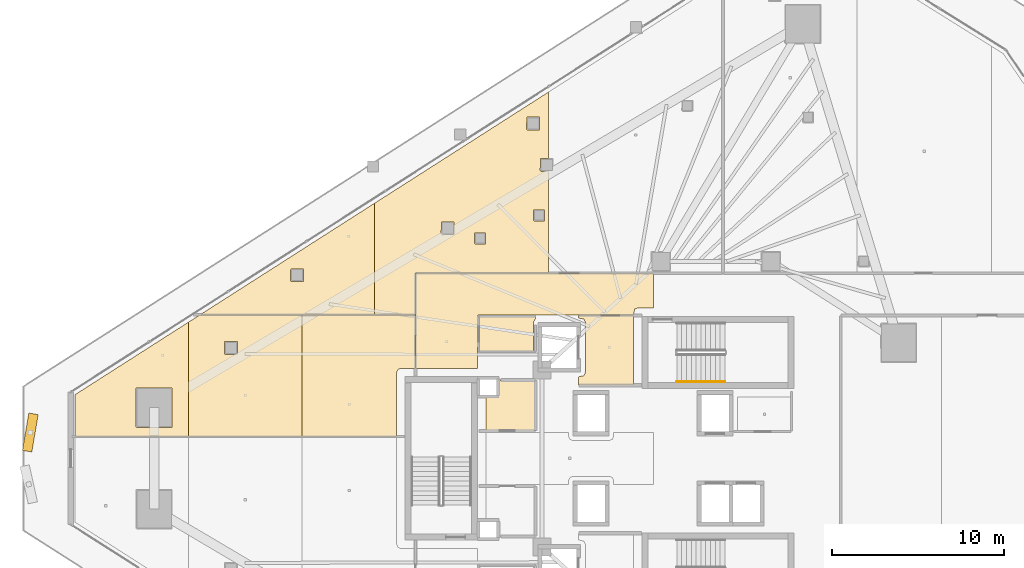
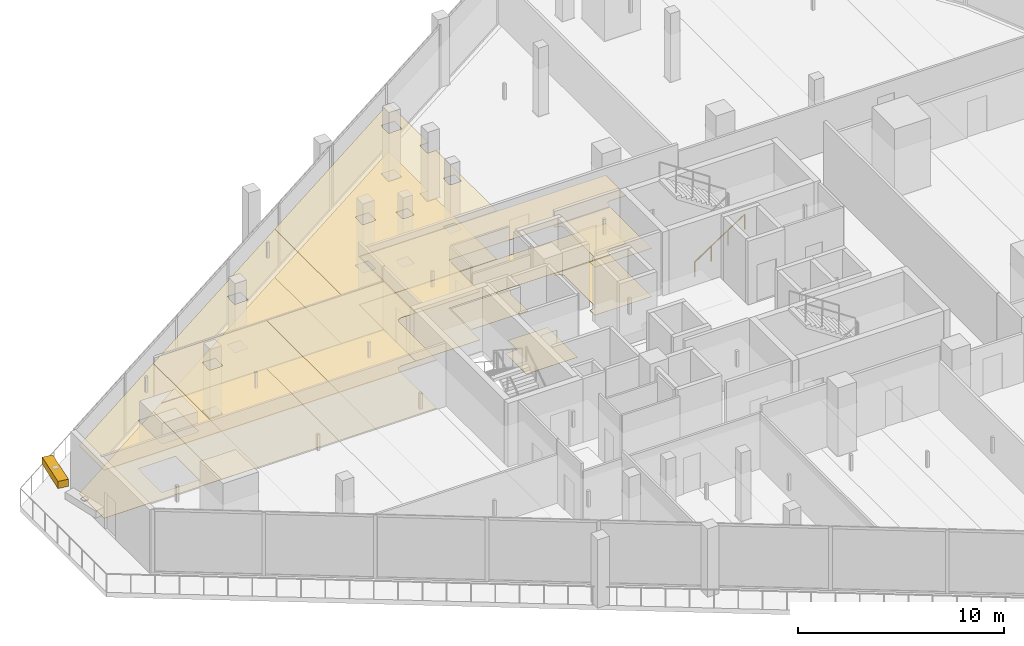
# One storey, part 40 of 42: 16 coverings, 1 railing, 1 shading device.
"""IFC4 building model written with IfcOpenShell, lengths in metres."""

from ifc_helpers import new_model, si_unit, direction, frame, origin, origin_2d, place, context, subcontext, project, spatial, polyline, rectangle, circle, outline, extrude, material, layer, layer_set, type_object, element, save


model = new_model("IFC4")

# Units and contexts
model_context = context("Model", 3, precision=1e-05, world=origin(), true_north=direction((0.0, 1.0)))
body_context = subcontext(model_context, "Body", "Model", "MODEL_VIEW")
ifc_project = project(units=[si_unit("LENGTHUNIT", "METRE"), si_unit("AREAUNIT", "SQUARE_METRE"), si_unit("VOLUMEUNIT", "CUBIC_METRE"), si_unit("PLANEANGLEUNIT", "RADIAN"), si_unit("MASSUNIT", "GRAM", prefix="KILO")], contexts=[model_context])

# Site, building, storey
site_placement = place(None, origin())
site = spatial("IfcSite", under=ifc_project, at=site_placement, CompositionType="ELEMENT")
building_placement = place(site_placement, origin())
building = spatial("IfcBuilding", under=site, at=building_placement, Name="Qorvath Tower", CompositionType="ELEMENT")
storey_placement = place(building_placement, frame((0.0, 0.0, 117.89990234375)))
storey = spatial("IfcBuildingStorey", under=building, at=storey_placement, Name="L26", CompositionType="ELEMENT", Elevation=117.89990234375)

# Coverings
ifc_material_1 = material(Name="Acoustic mineral fibre ceiling tile", Category="gypsum")
ifc_layer_1 = layer(ifc_material_1, 0.030029296875)
ifc_layer_set_1 = layer_set([ifc_layer_1], Name="COV-CEIL")
covering_type_1 = type_object("IfcCoveringType", Name="COV-CEIL", PredefinedType="CEILING", material=ifc_layer_set_1)
covering_1_placement = place(storey_placement, frame((0.0, 0.0, 2.85009765625)))
element("IfcCovering", 1, at=covering_1_placement, inside=storey, type_object=covering_type_1, Name="L26 Suspended Acoustic Ceiling 001", PredefinedType="CEILING", context=body_context, shape_type="SweptSolid", body=[
    extrude(outline(polyline([(-25.18994140625, 4.2548828125), (-25.18994140625, 8.294921875), (-28.375, 8.294921875), (-28.375, 8.159912109375), (-28.063232421875, 8.086669921875), (-27.989990234375, 7.909912109375), (-27.989990234375, 4.989990234375), (-28.063232421875, 4.813232421875), (-28.375, 4.739990234375), (-28.375, 4.2548828125), (-25.18994140625, 4.2548828125)])), origin(), (0.0, 0.0, 1.0), 0.030029296875),
])
covering_2_placement = place(storey_placement, frame((0.0, 0.0, 2.85009765625)))
element("IfcCovering", 2, at=covering_2_placement, inside=storey, type_object=covering_type_1, Name="L26 Suspended Acoustic Ceiling 009", PredefinedType="CEILING", context=body_context, shape_type="SweptSolid", body=[
    extrude(outline(polyline([(-24.02001953125, 8.75), (-24.02001953125, 10.7451171875), (-37.844970703125, 10.7451171875), (-37.844970703125, 5.239990234375), (-34.2509765625, 5.239990234375), (-34.219970703125, 8.324951171875), (-25.18994140625, 8.324951171875), (-25.11669921875, 8.6767578125), (-24.93994140625, 8.75), (-24.02001953125, 8.75)])), origin(), (0.0, 0.0, 1.0), 0.030029296875),
])
covering_3_placement = place(storey_placement, frame((0.0, 0.0, 2.85009765625)))
element("IfcCovering", 3, at=covering_3_placement, inside=storey, type_object=covering_type_1, Name="L26 Suspended Acoustic Ceiling 011", PredefinedType="CEILING", context=body_context, shape_type="SweptSolid", body=[
    extrude(outline(polyline([(-40.242431640625, 8.35498046875), (-40.242431640625, 14.824462890625), (-50.364990234375, 8.35498046875), (-40.242431640625, 8.35498046875)]), holes=[polyline([(-45.121337890625, 10.327392578125), (-45.103759765625, 11.019775390625), (-44.368896484375, 11.019775390625), (-44.368896484375, 10.284912109375), (-45.061279296875, 10.267333984375), (-45.121337890625, 10.327392578125)])]), origin(), (0.0, 0.0, 1.0), 0.030029296875),
])
covering_4_placement = place(storey_placement, frame((0.0, 0.0, 2.85009765625)))
element("IfcCovering", 4, at=covering_4_placement, inside=storey, type_object=covering_type_1, Name="L26 Suspended Acoustic Ceiling 012", PredefinedType="CEILING", context=body_context, shape_type="SweptSolid", body=[
    extrude(outline(polyline([(-30.1201171875, 10.762939453125), (-30.1201171875, 16.685546875), (-30.5498046875, 16.674560546875), (-30.60986328125, 16.734619140625), (-30.59228515625, 17.427001953125), (-30.1201171875, 17.427001953125), (-30.1201171875, 21.294189453125), (-40.242431640625, 14.824462890625), (-40.242431640625, 8.35498046875), (-37.863037109375, 8.35498046875), (-37.85791015625, 10.762939453125), (-30.1201171875, 10.762939453125)]), holes=[polyline([(-31.01220703125, 13.849365234375), (-30.99462890625, 14.441650390625), (-30.35986328125, 14.441650390625), (-30.35986328125, 13.806884765625), (-30.9521484375, 13.789306640625), (-31.01220703125, 13.849365234375)]), polyline([(-31.401123046875, 19.135498046875), (-31.383544921875, 19.827880859375), (-30.648681640625, 19.827880859375), (-30.648681640625, 19.093017578125), (-31.341064453125, 19.075439453125), (-31.401123046875, 19.135498046875)]), polyline([(-34.439208984375, 12.517578125), (-34.421630859375, 13.10986328125), (-33.786865234375, 13.10986328125), (-33.786865234375, 12.47509765625), (-34.379150390625, 12.45751953125), (-34.439208984375, 12.517578125)]), polyline([(-36.36572265625, 13.055908203125), (-36.34814453125, 13.748291015625), (-35.61328125, 13.748291015625), (-35.61328125, 13.013427734375), (-36.3056640625, 12.995849609375), (-36.36572265625, 13.055908203125)])]), origin(), (0.0, 0.0, 1.0), 0.030029296875),
])
covering_5_placement = place(storey_placement, frame((0.0, 0.0, 2.85009765625)))
element("IfcCovering", 5, at=covering_5_placement, inside=storey, type_object=covering_type_1, Name="L26 Suspended Acoustic Ceiling 033", PredefinedType="CEILING", context=body_context, shape_type="SweptSolid", body=[
    extrude(outline(polyline([(-51.043701171875, 1.28515625), (-51.043701171875, 7.921142578125), (-57.634033203125, 3.708984375), (-57.634033203125, 1.285400390625), (-51.043701171875, 1.28515625)]), holes=[polyline([(-54.109375, 1.850830078125), (-54.091796875, 4.09326171875), (-52.007080078125, 4.09326171875), (-52.007080078125, 1.808349609375), (-54.04931640625, 1.790771484375), (-54.109375, 1.850830078125)])]), origin(), (0.0, 0.0, 1.0), 0.030029296875),
])
covering_6_placement = place(storey_placement, frame((0.0, 0.0, 2.85009765625)))
element("IfcCovering", 6, at=covering_6_placement, inside=storey, type_object=covering_type_1, Name="L26 Suspended Acoustic Ceiling 034", PredefinedType="CEILING", context=body_context, shape_type="SweptSolid", body=[
    extrude(outline(polyline([(-44.453369140625, 1.284912109375), (-44.453369140625, 8.3369140625), (-50.39306640625, 8.3369140625), (-51.043701171875, 7.921142578125), (-51.043701171875, 1.28515625), (-44.453369140625, 1.284912109375)]), holes=[polyline([(-48.96337890625, 6.099609375), (-48.94580078125, 6.7919921875), (-48.2109375, 6.7919921875), (-48.2109375, 6.05712890625), (-48.9033203125, 6.03955078125), (-48.96337890625, 6.099609375)])]), origin(), (0.0, 0.0, 1.0), 0.030029296875),
])
covering_7_placement = place(storey_placement, frame((0.0, 0.0, 2.85009765625)))
element("IfcCovering", 7, at=covering_7_placement, inside=storey, type_object=covering_type_1, Name="L26 Suspended Acoustic Ceiling 035", PredefinedType="CEILING", context=body_context, shape_type="SweptSolid", body=[
    extrude(outline(polyline([(-37.863037109375, 5.239990234375), (-37.863037109375, 8.3369140625), (-44.453369140625, 8.3369140625), (-44.453369140625, 1.284912109375), (-38.949951171875, 1.28466796875), (-38.949951171875, 4.989990234375), (-38.876708984375, 5.166748046875), (-38.699951171875, 5.239990234375), (-37.863037109375, 5.239990234375)])), origin(), (0.0, 0.0, 1.0), 0.030029296875),
])
ifc_material_2 = material(Name="Low-VOC modular carpet tile", Category="textile")
ifc_layer_2 = layer(ifc_material_2, 0.014892578125)
ifc_layer_set_2 = layer_set([ifc_layer_2], Name="COV-FLOOR-CPT")
covering_type_2 = type_object("IfcCoveringType", Name="COV-FLOOR-CPT", PredefinedType="FLOORING", material=ifc_layer_set_2)
covering_8_placement = place(storey_placement, origin())
element("IfcCovering", 8, at=covering_8_placement, inside=storey, type_object=covering_type_2, Name="L26 Floor Finish 005", PredefinedType="FLOORING", context=body_context, shape_type="SweptSolid", body=[
    extrude(outline(polyline([(-33.760009765625, 3.636962890625), (-33.760009765625, 1.60498046875), (-30.885009765625, 1.60498046875), (-30.885009765625, 4.534912109375), (-33.0869140625, 4.534912109375), (-33.092041015625, 3.636962890625), (-33.760009765625, 3.636962890625)])), origin(), (0.0, 0.0, 1.0), 0.01513671875),
])
covering_9_placement = place(storey_placement, origin())
element("IfcCovering", 9, at=covering_9_placement, inside=storey, type_object=covering_type_2, Name="L26 Floor Finish 011", PredefinedType="FLOORING", context=body_context, shape_type="SweptSolid", body=[
    extrude(outline(polyline([(-40.242431640625, 8.35498046875), (-40.242431640625, 14.824462890625), (-50.364990234375, 8.35498046875), (-40.242431640625, 8.35498046875)]), holes=[polyline([(-45.121337890625, 10.327392578125), (-45.103759765625, 11.019775390625), (-44.368896484375, 11.019775390625), (-44.368896484375, 10.284912109375), (-45.061279296875, 10.267333984375), (-45.121337890625, 10.327392578125)])]), origin(), (0.0, 0.0, 1.0), 0.01513671875),
])
covering_10_placement = place(storey_placement, origin())
element("IfcCovering", 10, at=covering_10_placement, inside=storey, type_object=covering_type_2, Name="L26 Floor Finish 012", PredefinedType="FLOORING", context=body_context, shape_type="SweptSolid", body=[
    extrude(outline(polyline([(-30.1201171875, 10.762939453125), (-30.1201171875, 16.685546875), (-30.5498046875, 16.674560546875), (-30.60986328125, 16.734619140625), (-30.59228515625, 17.427001953125), (-30.1201171875, 17.427001953125), (-30.1201171875, 21.294189453125), (-40.242431640625, 14.824462890625), (-40.242431640625, 8.35498046875), (-37.863037109375, 8.35498046875), (-37.85791015625, 10.762939453125), (-30.1201171875, 10.762939453125)]), holes=[polyline([(-31.01220703125, 13.849365234375), (-30.99462890625, 14.441650390625), (-30.35986328125, 14.441650390625), (-30.35986328125, 13.806884765625), (-30.9521484375, 13.789306640625), (-31.01220703125, 13.849365234375)]), polyline([(-31.401123046875, 19.135498046875), (-31.383544921875, 19.827880859375), (-30.648681640625, 19.827880859375), (-30.648681640625, 19.093017578125), (-31.341064453125, 19.075439453125), (-31.401123046875, 19.135498046875)]), polyline([(-34.439208984375, 12.517578125), (-34.421630859375, 13.10986328125), (-33.786865234375, 13.10986328125), (-33.786865234375, 12.47509765625), (-34.379150390625, 12.45751953125), (-34.439208984375, 12.517578125)]), polyline([(-36.36572265625, 13.055908203125), (-36.34814453125, 13.748291015625), (-35.61328125, 13.748291015625), (-35.61328125, 13.013427734375), (-36.3056640625, 12.995849609375), (-36.36572265625, 13.055908203125)])]), origin(), (0.0, 0.0, 1.0), 0.01513671875),
])
covering_11_placement = place(storey_placement, origin())
element("IfcCovering", 11, at=covering_11_placement, inside=storey, type_object=covering_type_2, Name="L26 Floor Finish 033", PredefinedType="FLOORING", context=body_context, shape_type="SweptSolid", body=[
    extrude(outline(polyline([(-51.043701171875, 1.28515625), (-51.043701171875, 7.921142578125), (-57.634033203125, 3.708984375), (-57.634033203125, 1.285400390625), (-51.043701171875, 1.28515625)]), holes=[polyline([(-54.109375, 1.850830078125), (-54.091796875, 4.09326171875), (-52.007080078125, 4.09326171875), (-52.007080078125, 1.808349609375), (-54.04931640625, 1.790771484375), (-54.109375, 1.850830078125)])]), origin(), (0.0, 0.0, 1.0), 0.01513671875),
])
covering_12_placement = place(storey_placement, origin())
element("IfcCovering", 12, at=covering_12_placement, inside=storey, type_object=covering_type_2, Name="L26 Floor Finish 034", PredefinedType="FLOORING", context=body_context, shape_type="SweptSolid", body=[
    extrude(outline(polyline([(-44.453369140625, 1.284912109375), (-44.453369140625, 8.3369140625), (-50.39306640625, 8.3369140625), (-51.043701171875, 7.921142578125), (-51.043701171875, 1.28515625), (-44.453369140625, 1.284912109375)]), holes=[polyline([(-48.96337890625, 6.099609375), (-48.94580078125, 6.7919921875), (-48.2109375, 6.7919921875), (-48.2109375, 6.05712890625), (-48.9033203125, 6.03955078125), (-48.96337890625, 6.099609375)])]), origin(), (0.0, 0.0, 1.0), 0.01513671875),
])
covering_13_placement = place(storey_placement, origin())
element("IfcCovering", 13, at=covering_13_placement, inside=storey, type_object=covering_type_2, Name="L26 Floor Finish 035", PredefinedType="FLOORING", context=body_context, shape_type="SweptSolid", body=[
    extrude(outline(polyline([(-37.863037109375, 5.239990234375), (-37.863037109375, 8.3369140625), (-44.453369140625, 8.3369140625), (-44.453369140625, 1.284912109375), (-38.949951171875, 1.28466796875), (-38.949951171875, 4.989990234375), (-38.876708984375, 5.166748046875), (-38.699951171875, 5.239990234375), (-37.863037109375, 5.239990234375)])), origin(), (0.0, 0.0, 1.0), 0.01513671875),
])
ifc_material_3 = material(Name="Polished epoxy terrazzo flooring", Category="concrete")
ifc_layer_3 = layer(ifc_material_3, 0.02001953125)
ifc_layer_set_3 = layer_set([ifc_layer_3], Name="COV-FLOOR-TRZ")
covering_type_3 = type_object("IfcCoveringType", Name="COV-FLOOR-TRZ", PredefinedType="FLOORING", material=ifc_layer_set_3)
covering_14_placement = place(storey_placement, origin())
element("IfcCovering", 14, at=covering_14_placement, inside=storey, type_object=covering_type_3, Name="L26 Floor Finish 001", PredefinedType="FLOORING", context=body_context, shape_type="SweptSolid", body=[
    extrude(outline(polyline([(-25.18994140625, 4.2548828125), (-25.18994140625, 8.294921875), (-28.375, 8.294921875), (-28.375, 8.159912109375), (-28.063232421875, 8.086669921875), (-27.989990234375, 7.909912109375), (-27.989990234375, 4.989990234375), (-28.063232421875, 4.813232421875), (-28.375, 4.739990234375), (-28.375, 4.2548828125), (-25.18994140625, 4.2548828125)])), origin(), (0.0, 0.0, 1.0), 0.01513671875),
])
covering_15_placement = place(storey_placement, origin())
element("IfcCovering", 15, at=covering_15_placement, inside=storey, type_object=covering_type_3, Name="L26 Floor Finish 004", PredefinedType="FLOORING", context=body_context, shape_type="SweptSolid", body=[
    extrude(outline(polyline([(-31.010009765625, 6.205078125), (-31.010009765625, 7.909912109375), (-30.885009765625, 8.108154296875), (-30.885009765625, 8.2451171875), (-34.175048828125, 8.2451171875), (-34.175048828125, 6.205078125), (-31.010009765625, 6.205078125)])), origin(), (0.0, 0.0, 1.0), 0.01513671875),
])
covering_16_placement = place(storey_placement, origin())
element("IfcCovering", 16, at=covering_16_placement, inside=storey, type_object=covering_type_3, Name="L26 Floor Finish 009", PredefinedType="FLOORING", context=body_context, shape_type="SweptSolid", body=[
    extrude(outline(polyline([(-24.02001953125, 8.75), (-24.02001953125, 10.7451171875), (-37.844970703125, 10.7451171875), (-37.844970703125, 5.239990234375), (-34.2509765625, 5.239990234375), (-34.219970703125, 8.324951171875), (-25.18994140625, 8.324951171875), (-25.11669921875, 8.6767578125), (-24.93994140625, 8.75), (-24.02001953125, 8.75)])), origin(), (0.0, 0.0, 1.0), 0.01513671875),
])

# Railing
ifc_material_4 = material(Name="Brushed stainless steel AISI 304", Category="steel")
railing_type = type_object("IfcRailingType", Name="RL-STR-HND", PredefinedType="HANDRAIL", material=ifc_material_4)
railing_placement = place(storey_placement, frame((-22.669921875, 4.449951171875, 0.18408203125)))
element("IfcRailing", 17, at=railing_placement, inside=storey, type_object=railing_type, Name="L26 TS1 stair handrail 1", PredefinedType="HANDRAIL", context=body_context, shape_type="SweptSolid", body=[
    extrude(circle(Radius=0.02392578125, at=origin_2d()), frame((0.0, 0.0, 0.8759765625), z_axis=(0.835542071712, 0.0, 0.549426470421), x_axis=(0.0, 1.0, 0.0)), (0.0, 0.0, 1.0), 3.350830078125),
    extrude(circle(Radius=0.02099609375, at=origin_2d()), origin(), (0.0, 0.0, 1.0), 0.851806640625),
    extrude(circle(Radius=0.02099609375, at=origin_2d()), frame((0.933349609375, 0.0, 0.61376953125)), (0.0, 0.0, 1.0), 0.851806640625),
    extrude(circle(Radius=0.02099609375, at=origin_2d()), frame((1.866455078125, 0.0, 1.227294921875)), (0.0, 0.0, 1.0), 0.851806640625),
    extrude(circle(Radius=0.02099609375, at=origin_2d()), frame((2.7998046875, 0.0, 1.841064453125)), (0.0, 0.0, 1.0), 0.851806640625),
])

# Shading device
ifc_material_5 = material(Name="Anodised bronze-champagne aluminium", Category="aluminium")
shading_device_type = type_object("IfcShadingDeviceType", Name="SD-LOUVRE", PredefinedType="JALOUSIE", material=ifc_material_5)
shading_device_placement = place(storey_placement, frame((-60.2392578125, 1.505615234375, 3.35009765625), z_axis=(0.0, 0.0, 1.0), x_axis=(-0.167371026267, -0.985893979881, 0.0)))
element("IfcShadingDevice", 18, at=shading_device_placement, inside=storey, type_object=shading_device_type, Name="Sinusoidal Wave Louvre Blade L26-01", PredefinedType="NOTDEFINED", context=body_context, shape_type="SweptSolid", body=[
    extrude(rectangle(XDim=2.199951171875, YDim=0.550048828125, at=origin_2d()), origin(), (0.0, 0.0, 1.0), 0.419921875),
])

save(model, "model.ifc")
